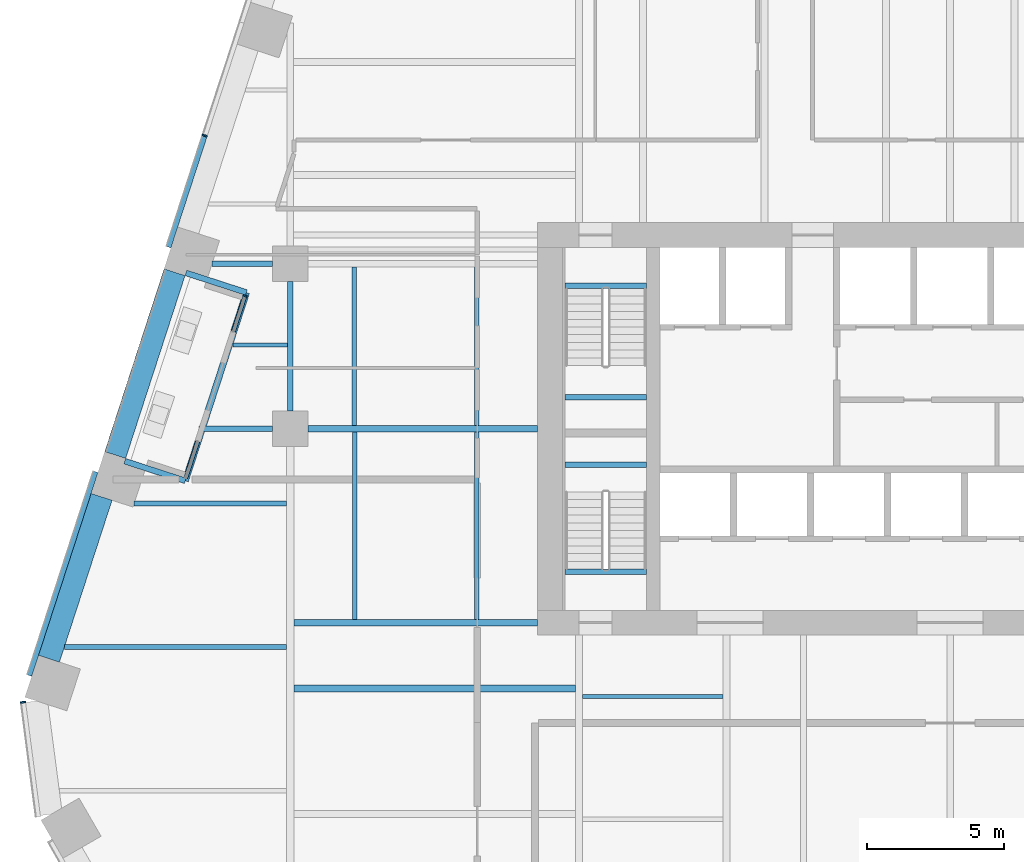
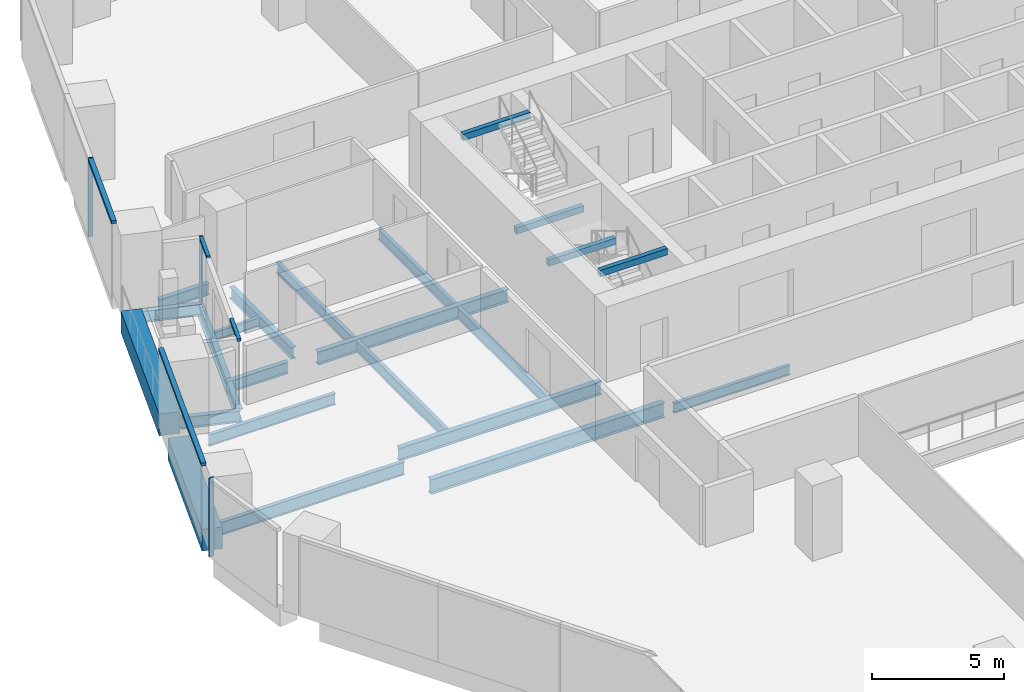
# One storey, part 10 of 28: 23 beams, 7 members, 3 elements without a shape of their own.
"""IFC4 building model written with IfcOpenShell, lengths in metres."""

from ifc_helpers import new_model, si_unit, direction, frame, origin, origin_2d, place, context, subcontext, project, spatial, rectangle, i_section, extrude, material, layer, layer_set, material_profile, profile_set, type_object, element, aggregate, save


model = new_model("IFC4")

# Units and contexts
model_context = context("Model", 3, precision=1e-05, world=origin(), true_north=direction((0.0, 1.0)))
body_context = subcontext(model_context, "Body", "Model", "MODEL_VIEW")
ifc_project = project(units=[si_unit("LENGTHUNIT", "METRE"), si_unit("AREAUNIT", "SQUARE_METRE"), si_unit("VOLUMEUNIT", "CUBIC_METRE"), si_unit("PLANEANGLEUNIT", "RADIAN"), si_unit("MASSUNIT", "GRAM", prefix="KILO")], contexts=[model_context])

# Site, building, storey
site_placement = place(None, origin())
site = spatial("IfcSite", under=ifc_project, at=site_placement, CompositionType="ELEMENT")
building_placement = place(site_placement, origin())
building = spatial("IfcBuilding", under=site, at=building_placement, Name="Isthmus Gate Tower", CompositionType="ELEMENT")
storey_placement = place(building_placement, frame((0.0, 0.0, 98.89990234375)))
storey = spatial("IfcBuildingStorey", under=building, at=storey_placement, Name="L23", CompositionType="ELEMENT", Elevation=98.89990234375)

# Curtain wall, member
ifc_material_1 = material(Name="Aluminium, pale champagne anodised", Category="aluminium")
ifc_layer_1 = layer(ifc_material_1, 0.199951171875)
ifc_layer_set_1 = layer_set([ifc_layer_1], Name="CW-1 UNITISED CURTAIN WALL 200 DEEP")
curtain_wall_type_1 = type_object("IfcCurtainWallType", Name="CW-1 UNITISED CURTAIN WALL 200 DEEP", PredefinedType="NOTDEFINED", material=ifc_layer_set_1)
curtain_wall_1_placement = place(storey_placement, origin())
curtain_wall_1 = element("IfcCurtainWall", 1, at=curtain_wall_1_placement, inside=storey, type_object=curtain_wall_type_1, Name="CW-1 NW L23", PredefinedType="NOTDEFINED")
ifc_material_2 = material(Name="Aluminium, pale champagne anodised", Category="aluminium")
ifc_material_profile_1 = material_profile(ifc_material_2, rectangle(XDim=0.06005859375, YDim=0.199951171875, at=origin_2d()), Name="60x200")
ifc_profile_set_1 = profile_set([ifc_material_profile_1], Name="Aluminium, pale champagne anodised")
member_type_1 = type_object("IfcMemberType", Name="CW-1 MULLION 60 X 200", PredefinedType="MULLION", material=ifc_profile_set_1)
member_1_placement = place(storey_placement, frame((-27.11474609375, 18.163818359375, 0.0), z_axis=(0.0, 0.0, 1.0), x_axis=(-0.309016994375, -0.951056516295, 0.0)))
member_1 = element("IfcMember", 2, at=member_1_placement, type_object=member_type_1, Name="CW-1 mullion", PredefinedType="MULLION", context=body_context, shape_type="SweptSolid", body=[
    extrude(rectangle(XDim=0.06005859375, YDim=0.199951171875, at=origin_2d()), origin(), (0.0, 0.0, 1.0), 3.650146484375),
])

curtain_wall_2_placement = place(storey_placement, origin())
curtain_wall_2 = element("IfcCurtainWall", 3, at=curtain_wall_2_placement, inside=storey, type_object=curtain_wall_type_1, Name="CW-1 NW-SW L23", PredefinedType="NOTDEFINED")
member_2_placement = place(storey_placement, frame((-33.722900390625, -2.44482421875, 0.0), z_axis=(0.0, 0.0, 1.0), x_axis=(0.129164534, -0.991623175988, 0.0)))
member_2 = element("IfcMember", 4, at=member_2_placement, type_object=member_type_1, Name="CW-1 mullion", PredefinedType="MULLION", context=body_context, shape_type="SweptSolid", body=[
    extrude(rectangle(XDim=0.06005859375, YDim=0.199951171875, at=origin_2d()), origin(), (0.0, 0.0, 1.0), 3.650146484375),
])
aggregate(curtain_wall_2, [member_2])

# Member
ifc_material_3 = material(Name="Aluminium, pale champagne anodised", Category="aluminium")
ifc_material_profile_2 = material_profile(ifc_material_3, rectangle(XDim=0.199951171875, YDim=0.14990234375, at=origin_2d()), Name="200x150")
ifc_profile_set_2 = profile_set([ifc_material_profile_2], Name="Aluminium, pale champagne anodised")
member_type_2 = type_object("IfcMemberType", Name="CW-1 TRANSOM 200 X 150", PredefinedType="USERDEFINED", material=ifc_profile_set_2)
member_3_placement = place(storey_placement, frame((-27.1240234375, 18.13525390625, 3.5751953125), z_axis=(-0.309023496777, -0.951054403512, 0.0), x_axis=(0.951054403512, -0.309023496777, 0.0)))
member_3 = element("IfcMember", 5, at=member_3_placement, type_object=member_type_2, Name="CW-1 transom", ObjectType="TRANSOM", PredefinedType="USERDEFINED", context=body_context, shape_type="SweptSolid", body=[
    extrude(rectangle(XDim=0.199951171875, YDim=0.14990234375, at=origin_2d()), origin(), (0.0, 0.0, 1.0), 4.234619140625),
])

member_4_placement = place(storey_placement, frame((-31.0869140625, 5.93896484375, 3.5751953125), z_axis=(-0.309015907338, -0.951056869494, 0.0), x_axis=(0.951056869494, -0.309015907338, 0.0)))
member_4 = element("IfcMember", 6, at=member_4_placement, type_object=member_type_2, Name="CW-1 transom", ObjectType="TRANSOM", PredefinedType="USERDEFINED", context=body_context, shape_type="SweptSolid", body=[
    extrude(rectangle(XDim=0.199951171875, YDim=0.14990234375, at=origin_2d()), origin(), (0.0, 0.0, 1.0), 7.789306640625),
])

aggregate(curtain_wall_1, [member_1, member_3, member_4])

# Curtain wall, members
ifc_material_4 = material(Name="Aluminium, pale champagne anodised", Category="aluminium")
ifc_layer_2 = layer(ifc_material_4, 0.14990234375)
ifc_layer_set_2 = layer_set([ifc_layer_2], Name="CW-6 LOGGIA BACK WALL GLAZING 150 DEEP")
curtain_wall_type_2 = type_object("IfcCurtainWallType", Name="CW-6 LOGGIA BACK WALL GLAZING 150 DEEP", PredefinedType="NOTDEFINED", material=ifc_layer_set_2)
curtain_wall_3_placement = place(storey_placement, origin())
curtain_wall_3 = element("IfcCurtainWall", 7, at=curtain_wall_3_placement, inside=storey, type_object=curtain_wall_type_2, Name="CW-6 NW L23", PredefinedType="NOTDEFINED")
ifc_material_5 = material(Name="Aluminium, pale champagne anodised", Category="aluminium")
ifc_material_profile_3 = material_profile(ifc_material_5, rectangle(XDim=0.06005859375, YDim=0.14990234375, at=origin_2d()), Name="60x150")
ifc_profile_set_3 = profile_set([ifc_material_profile_3], Name="Aluminium, pale champagne anodised")
member_type_3 = type_object("IfcMemberType", Name="CW-6 MULLION 60 X 150", PredefinedType="MULLION", material=ifc_profile_set_3)
member_5_placement = place(storey_placement, frame((-25.645751953125, 12.329833984375, 0.0), z_axis=(0.0, 0.0, 1.0), x_axis=(-0.309016994375, -0.951056516295, 0.0)))
member_5 = element("IfcMember", 8, at=member_5_placement, type_object=member_type_3, Name="CW-6 mullion", PredefinedType="MULLION", context=body_context, shape_type="SweptSolid", body=[
    extrude(rectangle(XDim=0.06005859375, YDim=0.14990234375, at=origin_2d()), origin(), (0.0, 0.0, 1.0), 3.050048828125),
])
ifc_material_6 = material(Name="Aluminium, pale champagne anodised", Category="aluminium")
ifc_material_profile_4 = material_profile(ifc_material_6, rectangle(XDim=0.14990234375, YDim=0.1201171875, at=origin_2d()), Name="150x120")
ifc_profile_set_4 = profile_set([ifc_material_profile_4], Name="Aluminium, pale champagne anodised")
member_type_4 = type_object("IfcMemberType", Name="CW-6 TRANSOM 150 X 120", PredefinedType="USERDEFINED", material=ifc_profile_set_4)
member_6_placement = place(storey_placement, frame((-25.655029296875, 12.30126953125, 2.989990234375), z_axis=(-0.309086072338, -0.951034068731, 0.0), x_axis=(0.951034068731, -0.309086072338, 0.0)))
member_6 = element("IfcMember", 9, at=member_6_placement, type_object=member_type_4, Name="CW-6 transom", ObjectType="TRANSOM", PredefinedType="USERDEFINED", context=body_context, shape_type="SweptSolid", body=[
    extrude(rectangle(XDim=0.14990234375, YDim=0.1201171875, at=origin_2d()), origin(), (0.0, 0.0, 1.0), 1.3349609375),
])
member_7_placement = place(storey_placement, frame((-27.365478515625, 7.037353515625, 2.989990234375), z_axis=(-0.308971280217, -0.951071368511, 0.0), x_axis=(0.951071368511, -0.308971280217, 0.0)))
member_7 = element("IfcMember", 10, at=member_7_placement, type_object=member_type_4, Name="CW-6 transom", ObjectType="TRANSOM", PredefinedType="USERDEFINED", context=body_context, shape_type="SweptSolid", body=[
    extrude(rectangle(XDim=0.14990234375, YDim=0.1201171875, at=origin_2d()), origin(), (0.0, 0.0, 1.0), 1.394775390625),
])
aggregate(curtain_wall_3, [member_5, member_6, member_7])

# Beams
ifc_material_7 = material(Name="Concrete f'c 70 MPa", Category="concrete")
ifc_material_profile_5 = material_profile(ifc_material_7, rectangle(XDim=0.800048828125, YDim=1.0, at=origin_2d()), Name="RC 800X1000")
ifc_profile_set_5 = profile_set([ifc_material_profile_5], Name="Concrete f'c 70 MPa")
beam_type_1 = type_object("IfcBeamType", Name="RC SPANDREL 800 X 1000", PredefinedType="SPANDREL", material=ifc_profile_set_5)
beam_1_placement = place(storey_placement, frame((-32.771240234375, -0.86279296875, -0.5), z_axis=(0.309012042366, 0.951058125286, 0.0), x_axis=(-0.951058125286, 0.309012042366, 0.0)))
element("IfcBeam", 11, at=beam_1_placement, inside=storey, type_object=beam_type_1, Name="str-spandrel-L23-18", PredefinedType="SPANDREL", context=body_context, shape_type="SweptSolid", body=[
    extrude(rectangle(XDim=0.800048828125, YDim=1.0, at=origin_2d()), origin(), (0.0, 0.0, 1.0), 6.189453125),
])
beam_2_placement = place(storey_placement, frame((-30.3642578125, 6.54541015625, -0.5), z_axis=(0.309029993465, 0.951052292537, 0.0), x_axis=(-0.951052292537, 0.309029993465, 0.0)))
element("IfcBeam", 12, at=beam_2_placement, inside=storey, type_object=beam_type_1, Name="str-spandrel-L23-19", PredefinedType="SPANDREL", context=body_context, shape_type="SweptSolid", body=[
    extrude(rectangle(XDim=0.800048828125, YDim=1.0, at=origin_2d()), origin(), (0.0, 0.0, 1.0), 6.9892578125),
])
ifc_material_8 = material(Name="Concrete f'c 40 MPa", Category="concrete")
ifc_material_profile_6 = material_profile(ifc_material_8, rectangle(XDim=0.199951171875, YDim=0.300048828125, at=origin_2d()), Name="STAIR LANDING BEAM RC 200 X 300")
ifc_profile_set_6 = profile_set([ifc_material_profile_6], Name="Concrete f'c 40 MPa")
beam_type_2 = type_object("IfcBeamType", Name="STAIR LANDING BEAM RC 200 X 300", PredefinedType="BEAM", material=ifc_profile_set_6)
for number, where, z_axis, x_axis, name in (
    (13, (-14.0, 8.64990234375, 1.47509765625), (1.0, 0.0, 0.0), (0.0, 1.0, 0.0), "L23 ST1 landing beam 1"),
    (14, (-14.0, 12.7001953125, 3.35009765625), (1.0, 0.0, 0.0), (0.0, 1.0, 0.0), "L23 ST1 floor-edge seat beam"),
    (15, (-14.0, 6.199951171875, 1.47509765625), (1.0, 0.0, 0.0), (0.0, 1.0, 0.0), "L23 ST7 landing beam 1"),
    (16, (-14.0, 2.2998046875, 3.35009765625), (1.0, 0.0, 0.0), (0.0, 1.0, 0.0), "L23 ST7 floor-edge seat beam"),
):
    element("IfcBeam", number, at=place(storey_placement, frame(where, z_axis=z_axis, x_axis=x_axis)), inside=storey, type_object=beam_type_2, Name=name, PredefinedType="BEAM", context=body_context, shape_type="SweptSolid", body=[
        extrude(rectangle(XDim=0.199951171875, YDim=0.300048828125, at=origin_2d()), origin(), (0.0, 0.0, 1.0), 2.949951171875),
    ])
ifc_material_9 = material(Name="Structural steel ASTM A992 Gr 50", Category="steel")
ifc_material_profile_7 = material_profile(ifc_material_9, i_section(OverallWidth=0.1396484375, OverallDepth=0.4033203125, WebThickness=0.00634765625, FlangeThickness=0.010986328125, at=origin_2d()), Name="W16X31")
ifc_profile_set_7 = profile_set([ifc_material_profile_7], Name="Structural steel ASTM A992 Gr 50")
beam_type_3 = type_object("IfcBeamType", Name="STEEL FLOOR BEAM W16X31", PredefinedType="JOIST", material=ifc_profile_set_7)
beam_3_placement = place(storey_placement, frame((-26.088134765625, 10.552490234375, -0.3515625), z_axis=(1.0, 0.0, 0.0), x_axis=(0.0, 1.0, 0.0)))
element("IfcBeam", 17, at=beam_3_placement, inside=storey, type_object=beam_type_3, Name="str-beam-L23-03-00", PredefinedType="JOIST", context=body_context, shape_type="SweptSolid", body=[
    extrude(i_section(OverallWidth=0.1396484375, OverallDepth=0.4033203125, WebThickness=0.00634765625, FlangeThickness=0.010986328125, at=origin_2d()), origin(), (0.0, 0.0, 1.0), 1.9833984375),
])
ifc_material_10 = material(Name="Structural steel ASTM A992 Gr 50", Category="steel")
ifc_material_profile_8 = material_profile(ifc_material_10, i_section(OverallWidth=0.15234375, OverallDepth=0.45068359375, WebThickness=0.0078125, FlangeThickness=0.010986328125, at=origin_2d()), Name="W18X35")
ifc_profile_set_8 = profile_set([ifc_material_profile_8], Name="Structural steel ASTM A992 Gr 50")
beam_type_4 = type_object("IfcBeamType", Name="STEEL FLOOR BEAM W18X35", PredefinedType="JOIST", material=ifc_profile_set_8)
beam_4_placement = place(storey_placement, frame((-13.3681640625, -2.232421875, -0.375244140625), z_axis=(1.0, 0.0, 0.0), x_axis=(0.0, 1.0, 0.0)))
element("IfcBeam", 18, at=beam_4_placement, inside=storey, type_object=beam_type_4, Name="str-beam-L23-14-02", PredefinedType="JOIST", context=body_context, shape_type="SweptSolid", body=[
    extrude(i_section(OverallWidth=0.15234375, OverallDepth=0.45068359375, WebThickness=0.0078125, FlangeThickness=0.010986328125, at=origin_2d()), origin(), (0.0, 0.0, 1.0), 5.1015625),
])
ifc_material_11 = material(Name="Structural steel ASTM A992 Gr 50", Category="steel")
ifc_material_profile_9 = material_profile(ifc_material_11, i_section(OverallWidth=0.1650390625, OverallDepth=0.52392578125, WebThickness=0.009521484375, FlangeThickness=0.010986328125, at=origin_2d()), Name="W21X44")
ifc_profile_set_9 = profile_set([ifc_material_profile_9], Name="Structural steel ASTM A992 Gr 50")
beam_type_5 = type_object("IfcBeamType", Name="STEEL FLOOR BEAM W21X44", PredefinedType="JOIST", material=ifc_profile_set_9)
beam_5_placement = place(storey_placement, frame((-29.675048828125, 4.783447265625, -0.411865234375), z_axis=(1.0, 0.0, 0.0), x_axis=(0.0, 1.0, 0.0)))
element("IfcBeam", 19, at=beam_5_placement, inside=storey, type_object=beam_type_5, Name="str-beam-L23-01-03", PredefinedType="JOIST", context=body_context, shape_type="SweptSolid", body=[
    extrude(i_section(OverallWidth=0.1650390625, OverallDepth=0.52392578125, WebThickness=0.009521484375, FlangeThickness=0.010986328125, at=origin_2d()), origin(), (0.0, 0.0, 1.0), 5.541748046875),
])
for number, where, z_axis, x_axis, name in (
    (20, (-21.64990234375, 0.564208984375, -0.411865234375), (0.0, 1.0, 0.0), (-1.0, 0.0, 0.0), "str-beam-L23-04-00"),
    (21, (-17.216552734375, 0.564208984375, -0.411865234375), (0.0, 1.0, 0.0), (-1.0, 0.0, 0.0), "str-beam-L23-04-01"),
):
    element("IfcBeam", number, at=place(storey_placement, frame(where, z_axis=z_axis, x_axis=x_axis)), inside=storey, type_object=beam_type_5, Name=name, PredefinedType="JOIST", context=body_context, shape_type="SweptSolid", body=[
        extrude(i_section(OverallWidth=0.1650390625, OverallDepth=0.52392578125, WebThickness=0.009521484375, FlangeThickness=0.010986328125, at=origin_2d()), origin(), (0.0, 0.0, 1.0), 6.821533203125),
    ])
for number, where, z_axis, x_axis, name in (
    (22, (-21.67138671875, 7.6142578125, -0.411865234375), (0.0, 1.0, 0.0), (-1.0, 0.0, 0.0), "str-beam-L23-05-00"),
    (23, (-17.223876953125, 7.6142578125, -0.411865234375), (0.0, 1.0, 0.0), (-1.0, 0.0, 0.0), "str-beam-L23-05-01"),
):
    element("IfcBeam", number, at=place(storey_placement, frame(where, z_axis=z_axis, x_axis=x_axis)), inside=storey, type_object=beam_type_5, Name=name, PredefinedType="JOIST", context=body_context, shape_type="SweptSolid", body=[
        extrude(i_section(OverallWidth=0.1650390625, OverallDepth=0.52392578125, WebThickness=0.009521484375, FlangeThickness=0.010986328125, at=origin_2d()), origin(), (0.0, 0.0, 1.0), 5.771484375),
    ])
ifc_material_12 = material(Name="Structural steel ASTM A992 Gr 50", Category="steel")
ifc_material_profile_10 = material_profile(ifc_material_12, i_section(OverallWidth=0.177734375, OverallDepth=0.60009765625, WebThickness=0.009521484375, FlangeThickness=0.0126953125, at=origin_2d()), Name="W24X55")
ifc_profile_set_10 = profile_set([ifc_material_profile_10], Name="Structural steel ASTM A992 Gr 50")
beam_type_6 = type_object("IfcBeamType", Name="STEEL FLOOR BEAM W24X55", PredefinedType="JOIST", material=ifc_profile_set_10)
beam_6_placement = place(storey_placement, frame((-32.21337890625, -0.4404296875, -0.449951171875), z_axis=(1.0, 0.0, 0.0), x_axis=(0.0, 1.0, 0.0)))
element("IfcBeam", 24, at=beam_6_placement, inside=storey, type_object=beam_type_6, Name="str-beam-L23-01-02", PredefinedType="JOIST", context=body_context, shape_type="SweptSolid", body=[
    extrude(i_section(OverallWidth=0.177734375, OverallDepth=0.60009765625, WebThickness=0.009521484375, FlangeThickness=0.0126953125, at=origin_2d()), origin(), (0.0, 0.0, 1.0), 8.080078125),
])
ifc_material_13 = material(Name="Structural steel ASTM A992 Gr 50", Category="steel")
ifc_material_profile_11 = material_profile(ifc_material_13, i_section(OverallWidth=0.25390625, OverallDepth=0.679443359375, WebThickness=0.010986328125, FlangeThickness=0.015869140625, at=origin_2d()), Name="W27X84")
ifc_profile_set_11 = profile_set([ifc_material_profile_11], Name="Structural steel ASTM A992 Gr 50")
beam_type_7 = type_object("IfcBeamType", Name="STEEL FLOOR BEAM W27X84", PredefinedType="JOIST", material=ifc_profile_set_11)
beam_7_placement = place(storey_placement, frame((-23.86669921875, -1.947998046875, -0.489501953125), z_axis=(1.0, 0.0, 0.0), x_axis=(0.0, 1.0, 0.0)))
element("IfcBeam", 25, at=beam_7_placement, inside=storey, type_object=beam_type_7, Name="str-beam-L23-09-02", PredefinedType="JOIST", context=body_context, shape_type="SweptSolid", body=[
    extrude(i_section(OverallWidth=0.25390625, OverallDepth=0.679443359375, WebThickness=0.010986328125, FlangeThickness=0.015869140625, at=origin_2d()), origin(), (0.0, 0.0, 1.0), 10.23486328125),
])
ifc_material_14 = material(Name="Structural steel ASTM A992 Gr 50", Category="steel")
ifc_material_profile_12 = material_profile(ifc_material_14, i_section(OverallWidth=0.20947265625, OverallDepth=0.533447265625, WebThickness=0.009521484375, FlangeThickness=0.015869140625, at=origin_2d()), Name="W21X62")
ifc_profile_set_12 = profile_set([ifc_material_profile_12], Name="Structural steel ASTM A992 Gr 50")
beam_type_8 = type_object("IfcBeamType", Name="STEEL GIRDER W21X62", PredefinedType="BEAM", material=ifc_profile_set_12)
beam_8_placement = place(storey_placement, frame((-27.3203125, 7.5, -0.41650390625), z_axis=(1.0, 0.0, 0.0), x_axis=(0.0, 1.0, 0.0)))
element("IfcBeam", 26, at=beam_8_placement, inside=storey, type_object=beam_type_8, Name="str-girder-L23-09", PredefinedType="BEAM", context=body_context, shape_type="SweptSolid", body=[
    extrude(i_section(OverallWidth=0.20947265625, OverallDepth=0.533447265625, WebThickness=0.009521484375, FlangeThickness=0.015869140625, at=origin_2d()), origin(), (0.0, 0.0, 1.0), 2.67041015625),
])
beam_9_placement = place(storey_placement, frame((-26.8427734375, 13.5, -0.41650390625), z_axis=(1.0, 0.0, 0.0), x_axis=(0.0, 1.0, 0.0)))
element("IfcBeam", 27, at=beam_9_placement, inside=storey, type_object=beam_type_8, Name="str-girder-L23-13", PredefinedType="BEAM", context=body_context, shape_type="SweptSolid", body=[
    extrude(i_section(OverallWidth=0.20947265625, OverallDepth=0.533447265625, WebThickness=0.009521484375, FlangeThickness=0.015869140625, at=origin_2d()), origin(), (0.0, 0.0, 1.0), 2.19287109375),
])
beam_10_placement = place(storey_placement, frame((-24.0, 8.14990234375, -0.41650390625), z_axis=(0.0, 1.0, 0.0), x_axis=(-1.0, 0.0, 0.0)))
element("IfcBeam", 28, at=beam_10_placement, inside=storey, type_object=beam_type_8, Name="str-girder-L23-22", PredefinedType="BEAM", context=body_context, shape_type="SweptSolid", body=[
    extrude(i_section(OverallWidth=0.20947265625, OverallDepth=0.533447265625, WebThickness=0.009521484375, FlangeThickness=0.015869140625, at=origin_2d()), origin(), (0.0, 0.0, 1.0), 4.7001953125),
])
ifc_material_15 = material(Name="Structural steel ASTM A992 Gr 50", Category="steel")
ifc_material_profile_13 = material_profile(ifc_material_15, i_section(OverallWidth=0.228515625, OverallDepth=0.6064453125, WebThickness=0.010986328125, FlangeThickness=0.017578125, at=origin_2d()), Name="W24X76")
ifc_profile_set_13 = profile_set([ifc_material_profile_13], Name="Structural steel ASTM A992 Gr 50")
beam_type_9 = type_object("IfcBeamType", Name="STEEL GIRDER W24X76", PredefinedType="BEAM", material=ifc_profile_set_13)
beam_11_placement = place(storey_placement, frame((-23.35009765625, 7.5, -0.453125), z_axis=(1.0, 0.0, 0.0), x_axis=(0.0, 1.0, 0.0)))
element("IfcBeam", 29, at=beam_11_placement, inside=storey, type_object=beam_type_9, Name="str-girder-L23-10", PredefinedType="BEAM", context=body_context, shape_type="SweptSolid", body=[
    extrude(i_section(OverallWidth=0.228515625, OverallDepth=0.6064453125, WebThickness=0.010986328125, FlangeThickness=0.017578125, at=origin_2d()), origin(), (0.0, 0.0, 1.0), 8.35009765625),
])
beam_12_placement = place(storey_placement, frame((-15.0, 0.449951171875, -0.453125), z_axis=(-1.0, 0.0, 0.0), x_axis=(0.0, -1.0, 0.0)))
element("IfcBeam", 30, at=beam_12_placement, inside=storey, type_object=beam_type_9, Name="str-girder-L23-39", PredefinedType="BEAM", context=body_context, shape_type="SweptSolid", body=[
    extrude(i_section(OverallWidth=0.228515625, OverallDepth=0.6064453125, WebThickness=0.010986328125, FlangeThickness=0.017578125, at=origin_2d()), origin(), (0.0, 0.0, 1.0), 8.86669921875),
])
ifc_material_16 = material(Name="Structural steel ASTM A992 Gr 50", Category="steel")
ifc_material_profile_14 = material_profile(ifc_material_16, i_section(OverallWidth=0.20947265625, OverallDepth=0.533447265625, WebThickness=0.009521484375, FlangeThickness=0.015869140625, at=origin_2d()), Name="W21X62")
ifc_profile_set_14 = profile_set([ifc_material_profile_14], Name="Structural steel ASTM A992 Gr 50")
beam_type_10 = type_object("IfcBeamType", Name="STEEL TRIMMER W21X62", PredefinedType="BEAM", material=ifc_profile_set_14)
for number, where, z_axis, x_axis, name in (
    (31, (-27.79150390625, 13.168701171875, -0.41650390625), (0.951030192385, -0.3090979993, 0.0), (0.3090979993, 0.951030192385, 0.0), "str-loggiatrim-L23-02-A"),
    (32, (-30.01611328125, 6.322021484375, -0.41650390625), (0.951061199846, -0.309002579517, 0.0), (0.309002579517, 0.951061199846, 0.0), "str-loggiatrim-L23-02-C"),
):
    element("IfcBeam", number, at=place(storey_placement, frame(where, z_axis=z_axis, x_axis=x_axis)), inside=storey, type_object=beam_type_10, Name=name, PredefinedType="BEAM", context=body_context, shape_type="SweptSolid", body=[
        extrude(i_section(OverallWidth=0.20947265625, OverallDepth=0.533447265625, WebThickness=0.009521484375, FlangeThickness=0.015869140625, at=origin_2d()), origin(), (0.0, 0.0, 1.0), 2.314208984375),
    ])
ifc_material_17 = material(Name="Structural steel ASTM A992 Gr 50", Category="steel")
ifc_material_profile_15 = material_profile(ifc_material_17, i_section(OverallWidth=0.228515625, OverallDepth=0.603271484375, WebThickness=0.010986328125, FlangeThickness=0.014404296875, at=origin_2d()), Name="W24X68")
ifc_profile_set_15 = profile_set([ifc_material_profile_15], Name="Structural steel ASTM A992 Gr 50")
beam_type_11 = type_object("IfcBeamType", Name="STEEL TRIMMER W24X68", PredefinedType="BEAM", material=ifc_profile_set_15)
beam_13_placement = place(storey_placement, frame((-25.590576171875, 12.453369140625, -0.451416015625), z_axis=(-0.309025490236, -0.951053755781, 0.0), x_axis=(0.951053755781, -0.309025490236, 0.0)))
element("IfcBeam", 33, at=beam_13_placement, inside=storey, type_object=beam_type_11, Name="str-loggiatrim-L23-02-B", PredefinedType="BEAM", context=body_context, shape_type="SweptSolid", body=[
    extrude(i_section(OverallWidth=0.228515625, OverallDepth=0.603271484375, WebThickness=0.010986328125, FlangeThickness=0.014404296875, at=origin_2d()), origin(), (0.0, 0.0, 1.0), 7.19873046875),
])

save(model, "model.ifc")
